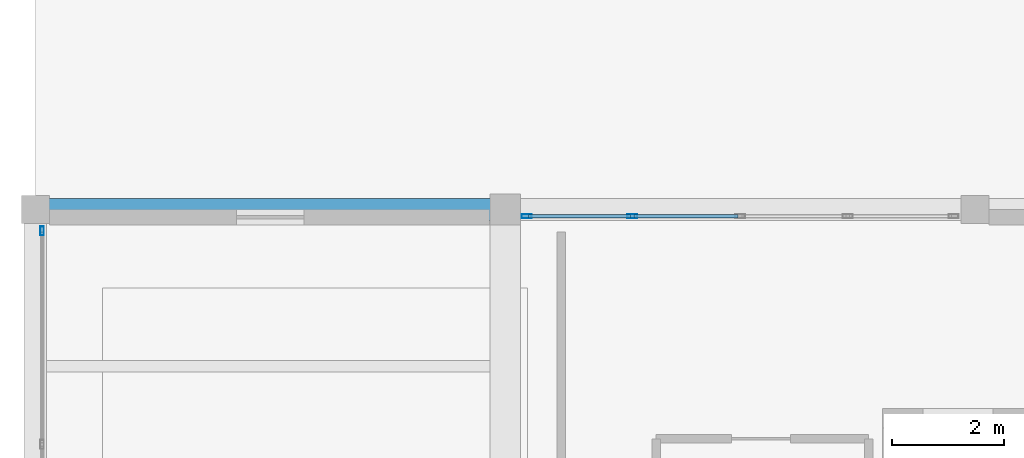
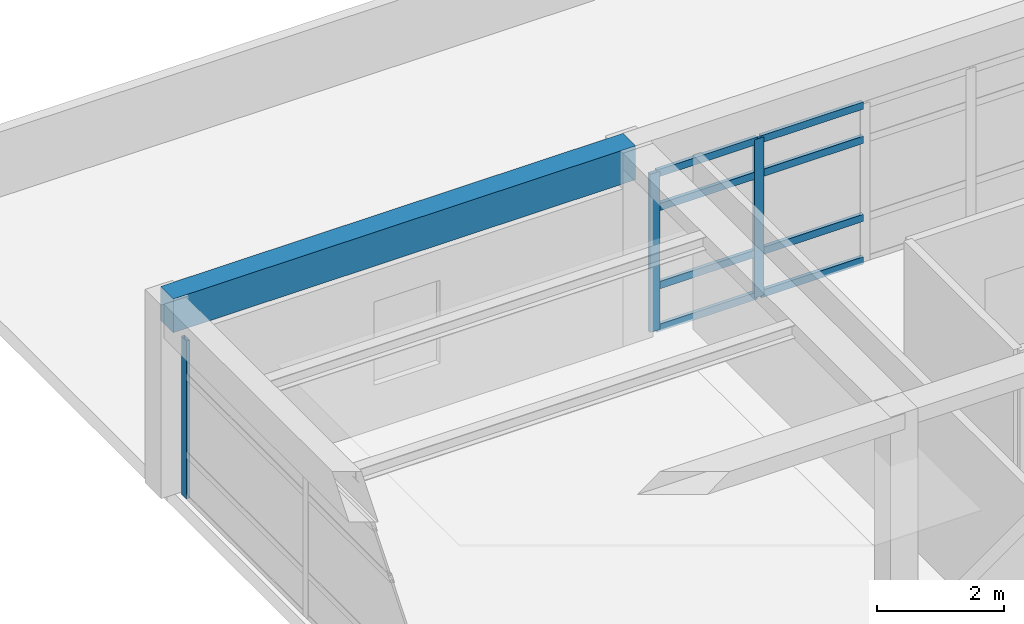
# One storey, part 10 of 22: 11 members, 1 beam, 2 elements without a shape of their own.
"""IFC4 building model written with IfcOpenShell, lengths in metres."""

from ifc_helpers import new_model, si_unit, direction, frame, origin, origin_2d, place, context, subcontext, project, spatial, rectangle, hollow_rectangle, extrude, material, material_profile, profile_set, type_object, element, aggregate, save


model = new_model("IFC4")

# Units and contexts
model_context = context("Model", 3, precision=1e-05, world=origin(), true_north=direction((0.0, 1.0)))
body_context = subcontext(model_context, "Body", "Model", "MODEL_VIEW")
ifc_project = project(units=[si_unit("LENGTHUNIT", "METRE"), si_unit("AREAUNIT", "SQUARE_METRE"), si_unit("VOLUMEUNIT", "CUBIC_METRE"), si_unit("PLANEANGLEUNIT", "RADIAN"), si_unit("MASSUNIT", "GRAM", prefix="KILO")], contexts=[model_context])

# Site, building, storey
site_placement = place(None, origin())
site = spatial("IfcSite", under=ifc_project, at=site_placement, CompositionType="ELEMENT")
building_placement = place(site_placement, origin())
building = spatial("IfcBuilding", under=site, at=building_placement, Name="Almacenes y Pasaje Nevantli", CompositionType="ELEMENT")
storey_placement = place(building_placement, frame((0.0, 0.0, 58.699951171875)))
storey = spatial("IfcBuildingStorey", under=building, at=storey_placement, Name="L14", CompositionType="ELEMENT", Elevation=58.699951171875)

# Beam
ifc_material_1 = material(Name="Concrete C35/45", Category="concrete")
ifc_material_profile_1 = material_profile(ifc_material_1, rectangle(XDim=0.39990234375, YDim=0.64990234375, at=origin_2d()), Name="RC-BM-400x650")
ifc_profile_set_1 = profile_set([ifc_material_profile_1], Name="Concrete C35/45")
beam_type = type_object("IfcBeamType", Name="BM-RC-400x650", PredefinedType="SPANDREL", material=ifc_profile_set_1)
beam_placement = place(storey_placement, frame((117.60009765625, 92.39990234375, 3.39501953125), z_axis=(1.0, 0.0, 0.0), x_axis=(0.0, 1.0, 0.0)))
element("IfcBeam", 1, at=beam_placement, inside=storey, type_object=beam_type, Name="L14 East-West Reinforced Concrete Beam #3997", PredefinedType="SPANDREL", context=body_context, shape_type="SweptSolid", body=[
    extrude(rectangle(XDim=0.39990234375, YDim=0.64990234375, at=origin_2d()), origin(), (0.0, 0.0, 1.0), 8.39990234375),
])

# Curtain wall, member
ifc_material_2 = material(Name="Thermally Broken Aluminium and Low-E Glass", Category="aluminium")
curtain_wall_type = type_object("IfcCurtainWallType", Name="CW-UNIT-TOWER", PredefinedType="USERDEFINED", material=ifc_material_2)
curtain_wall_1_placement = place(storey_placement, origin())
curtain_wall_1 = element("IfcCurtainWall", 2, at=curtain_wall_1_placement, inside=storey, type_object=curtain_wall_type, Name="L14 Tower West Curtain Wall Bay 11", ObjectType="UNITIZED CURTAIN WALL", PredefinedType="USERDEFINED")
ifc_material_3 = material(Name="Thermally Broken Anodized Aluminium", Category="aluminium")
ifc_material_profile_2 = material_profile(ifc_material_3, hollow_rectangle(XDim=0.06005859375, YDim=0.159912109375, WallThickness=0.00390625, at=origin_2d()), Name="ALU-MUL-60x160")
ifc_profile_set_2 = profile_set([ifc_material_profile_2], Name="Thermally Broken Anodized Aluminium")
member_type_1 = type_object("IfcMemberType", Name="CW-MUL-180", PredefinedType="MULLION", material=ifc_profile_set_2)
member_1_placement = place(storey_placement, frame((117.719970703125, 92.02001953125, 0.0), z_axis=(0.0, 0.0, 1.0), x_axis=(-1.0, 0.0, 0.0)))
member_1 = element("IfcMember", 3, at=member_1_placement, type_object=member_type_1, Name="CW-L14-183 mullion 3", PredefinedType="MULLION", context=body_context, shape_type="SweptSolid", body=[
    extrude(hollow_rectangle(XDim=0.06005859375, YDim=0.159912109375, WallThickness=0.00390625, at=origin_2d()), origin(), (0.0, 0.0, 1.0), 3.0400390625),
])
aggregate(curtain_wall_1, [member_1])

# Curtain wall, members
curtain_wall_2_placement = place(storey_placement, origin())
curtain_wall_2 = element("IfcCurtainWall", 4, at=curtain_wall_2_placement, inside=storey, type_object=curtain_wall_type, Name="L14 Tower North Boulevard Unitized Curtain Wall Bay 16", ObjectType="UNITIZED CURTAIN WALL", PredefinedType="USERDEFINED")
ifc_material_4 = material(Name="Thermally Broken Anodized Aluminium", Category="aluminium")
ifc_material_profile_3 = material_profile(ifc_material_4, hollow_rectangle(XDim=0.06494140625, YDim=0.179931640625, WallThickness=0.00390625, at=origin_2d()), Name="ALU-MUL-65x180")
ifc_profile_set_3 = profile_set([ifc_material_profile_3], Name="Thermally Broken Anodized Aluminium")
member_type_2 = type_object("IfcMemberType", Name="CW-MUL-200", PredefinedType="MULLION", material=ifc_profile_set_3)
member_2_placement = place(storey_placement, frame((126.382568359375, 92.280029296875, 0.0), z_axis=(0.0, 0.0, 1.0), x_axis=(0.0, 1.0, 0.0)))
member_2 = element("IfcMember", 5, at=member_2_placement, type_object=member_type_2, Name="CW-L14-178 mullion 1", PredefinedType="MULLION", context=body_context, shape_type="SweptSolid", body=[
    extrude(hollow_rectangle(XDim=0.06494140625, YDim=0.179931640625, WallThickness=0.00390625, at=origin_2d()), origin(), (0.0, 0.0, 1.0), 3.0400390625),
])
member_3_placement = place(storey_placement, frame((128.27490234375, 92.280029296875, 0.0), z_axis=(0.0, 0.0, 1.0), x_axis=(0.0, 1.0, 0.0)))
member_3 = element("IfcMember", 6, at=member_3_placement, type_object=member_type_2, Name="CW-L14-178 mullion 2", PredefinedType="MULLION", context=body_context, shape_type="SweptSolid", body=[
    extrude(hollow_rectangle(XDim=0.06494140625, YDim=0.179931640625, WallThickness=0.00390625, at=origin_2d()), origin(), (0.0, 0.0, 1.0), 3.0400390625),
])
ifc_material_5 = material(Name="Thermally Broken Anodized Aluminium", Category="aluminium")
ifc_material_profile_4 = material_profile(ifc_material_5, hollow_rectangle(XDim=0.06494140625, YDim=0.139892578125, WallThickness=0.00390625, at=origin_2d()), Name="ALU-TRN-65x140")
ifc_profile_set_4 = profile_set([ifc_material_profile_4], Name="Thermally Broken Anodized Aluminium")
member_type_3 = type_object("IfcMemberType", Name="CW-TRN-150", PredefinedType="USERDEFINED", material=ifc_profile_set_4)
member_4_placement = place(storey_placement, frame((126.4150390625, 92.280029296875, 0.032470703125), z_axis=(1.0, 0.0, 0.0), x_axis=(0.0, 1.0, 0.0)))
member_4 = element("IfcMember", 7, at=member_4_placement, type_object=member_type_3, Name="CW-L14-178 transom 1.1", ObjectType="TRANSOM", PredefinedType="USERDEFINED", context=body_context, shape_type="SweptSolid", body=[
    extrude(hollow_rectangle(XDim=0.06494140625, YDim=0.139892578125, WallThickness=0.00390625, at=origin_2d()), origin(), (0.0, 0.0, 1.0), 1.827392578125),
])
member_5_placement = place(storey_placement, frame((126.4150390625, 92.280029296875, 0.85009765625), z_axis=(1.0, 0.0, 0.0), x_axis=(0.0, 1.0, 0.0)))
member_5 = element("IfcMember", 8, at=member_5_placement, type_object=member_type_3, Name="CW-L14-178 transom 1.2", ObjectType="TRANSOM", PredefinedType="USERDEFINED", context=body_context, shape_type="SweptSolid", body=[
    extrude(hollow_rectangle(XDim=0.06494140625, YDim=0.139892578125, WallThickness=0.00390625, at=origin_2d()), origin(), (0.0, 0.0, 1.0), 1.827392578125),
])
member_6_placement = place(storey_placement, frame((126.4150390625, 92.280029296875, 2.35009765625), z_axis=(1.0, 0.0, 0.0), x_axis=(0.0, 1.0, 0.0)))
member_6 = element("IfcMember", 9, at=member_6_placement, type_object=member_type_3, Name="CW-L14-178 transom 1.3", ObjectType="TRANSOM", PredefinedType="USERDEFINED", context=body_context, shape_type="SweptSolid", body=[
    extrude(hollow_rectangle(XDim=0.06494140625, YDim=0.139892578125, WallThickness=0.00390625, at=origin_2d()), origin(), (0.0, 0.0, 1.0), 1.827392578125),
])
member_7_placement = place(storey_placement, frame((126.4150390625, 92.280029296875, 3.007568359375), z_axis=(1.0, 0.0, 0.0), x_axis=(0.0, 1.0, 0.0)))
member_7 = element("IfcMember", 10, at=member_7_placement, type_object=member_type_3, Name="CW-L14-178 transom 1.4", ObjectType="TRANSOM", PredefinedType="USERDEFINED", context=body_context, shape_type="SweptSolid", body=[
    extrude(hollow_rectangle(XDim=0.06494140625, YDim=0.139892578125, WallThickness=0.00390625, at=origin_2d()), origin(), (0.0, 0.0, 1.0), 1.827392578125),
])
member_8_placement = place(storey_placement, frame((128.3076171875, 92.280029296875, 0.032470703125), z_axis=(1.0, 0.0, 0.0), x_axis=(0.0, 1.0, 0.0)))
member_8 = element("IfcMember", 11, at=member_8_placement, type_object=member_type_3, Name="CW-L14-178 transom 2.1", ObjectType="TRANSOM", PredefinedType="USERDEFINED", context=body_context, shape_type="SweptSolid", body=[
    extrude(hollow_rectangle(XDim=0.06494140625, YDim=0.139892578125, WallThickness=0.00390625, at=origin_2d()), origin(), (0.0, 0.0, 1.0), 1.85986328125),
])
member_9_placement = place(storey_placement, frame((128.3076171875, 92.280029296875, 0.85009765625), z_axis=(1.0, 0.0, 0.0), x_axis=(0.0, 1.0, 0.0)))
member_9 = element("IfcMember", 12, at=member_9_placement, type_object=member_type_3, Name="CW-L14-178 transom 2.2", ObjectType="TRANSOM", PredefinedType="USERDEFINED", context=body_context, shape_type="SweptSolid", body=[
    extrude(hollow_rectangle(XDim=0.06494140625, YDim=0.139892578125, WallThickness=0.00390625, at=origin_2d()), origin(), (0.0, 0.0, 1.0), 1.85986328125),
])
member_10_placement = place(storey_placement, frame((128.3076171875, 92.280029296875, 2.35009765625), z_axis=(1.0, 0.0, 0.0), x_axis=(0.0, 1.0, 0.0)))
member_10 = element("IfcMember", 13, at=member_10_placement, type_object=member_type_3, Name="CW-L14-178 transom 2.3", ObjectType="TRANSOM", PredefinedType="USERDEFINED", context=body_context, shape_type="SweptSolid", body=[
    extrude(hollow_rectangle(XDim=0.06494140625, YDim=0.139892578125, WallThickness=0.00390625, at=origin_2d()), origin(), (0.0, 0.0, 1.0), 1.85986328125),
])
member_11_placement = place(storey_placement, frame((128.3076171875, 92.280029296875, 3.007568359375), z_axis=(1.0, 0.0, 0.0), x_axis=(0.0, 1.0, 0.0)))
member_11 = element("IfcMember", 14, at=member_11_placement, type_object=member_type_3, Name="CW-L14-178 transom 2.4", ObjectType="TRANSOM", PredefinedType="USERDEFINED", context=body_context, shape_type="SweptSolid", body=[
    extrude(hollow_rectangle(XDim=0.06494140625, YDim=0.139892578125, WallThickness=0.00390625, at=origin_2d()), origin(), (0.0, 0.0, 1.0), 1.85986328125),
])
aggregate(curtain_wall_2, [member_2, member_3, member_4, member_5, member_6, member_7, member_8, member_9, member_10, member_11])

save(model, "model.ifc")
